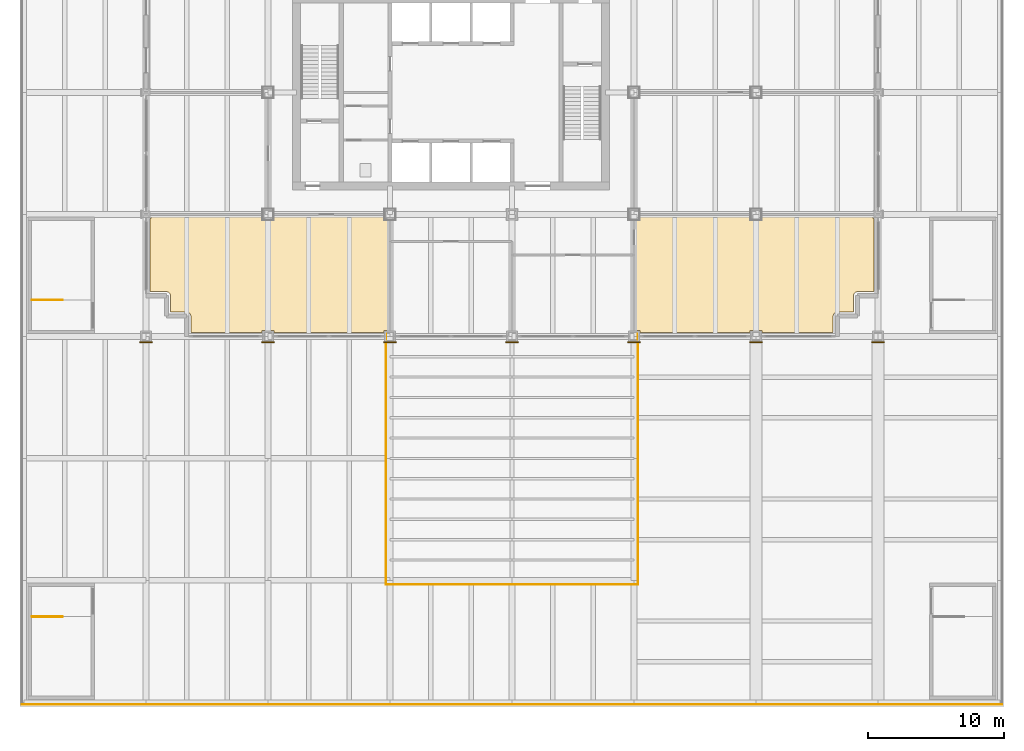
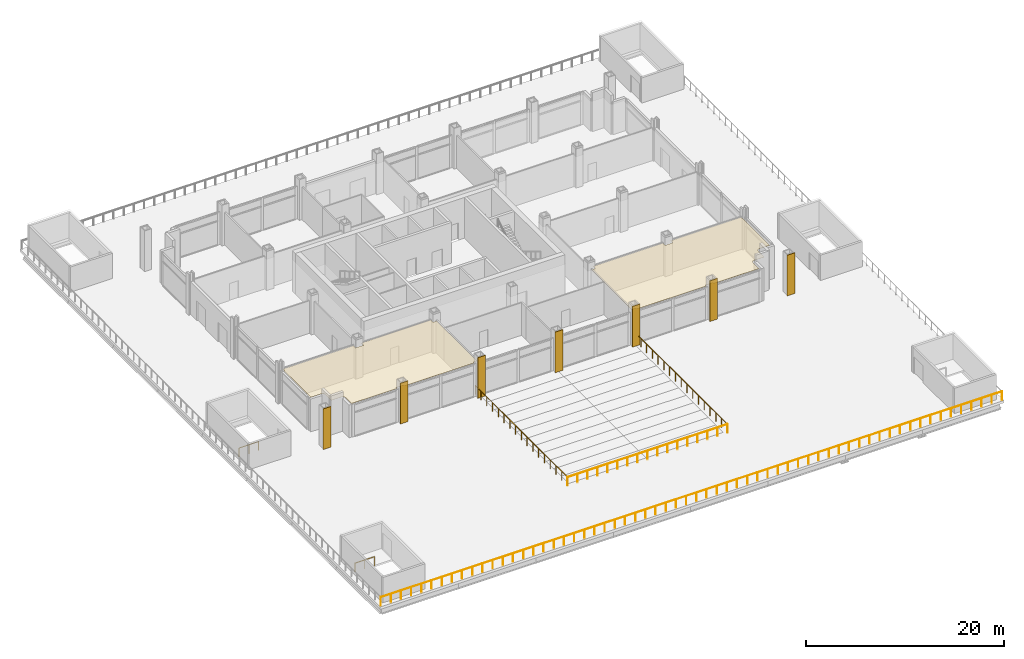
# One storey, part 12 of 16: 9 coverings, 6 railings.
"""IFC4 building model written with IfcOpenShell, lengths in metres."""

from ifc_helpers import new_model, si_unit, direction, frame, origin, origin_2d, place, context, subcontext, project, spatial, polyline, rectangle, circle, outline, extrude, material, layer, layer_set, type_object, element, save


model = new_model("IFC4")

# Units and contexts
model_context = context("Model", 3, precision=1e-05, world=origin(), true_north=direction((0.0, 1.0)))
body_context = subcontext(model_context, "Body", "Model", "MODEL_VIEW")
ifc_project = project(units=[si_unit("LENGTHUNIT", "METRE"), si_unit("AREAUNIT", "SQUARE_METRE"), si_unit("VOLUMEUNIT", "CUBIC_METRE"), si_unit("PLANEANGLEUNIT", "RADIAN"), si_unit("MASSUNIT", "GRAM", prefix="KILO")], contexts=[model_context])

# Site, building, storey
site_placement = place(None, origin())
site = spatial("IfcSite", under=ifc_project, at=site_placement, CompositionType="ELEMENT")
building_placement = place(site_placement, origin())
building = spatial("IfcBuilding", under=site, at=building_placement, Name="Loomwork Tower", CompositionType="ELEMENT")
storey_placement = place(building_placement, frame((0.0, 0.0, 23.0)))
storey = spatial("IfcBuildingStorey", under=building, at=storey_placement, Name="L04", CompositionType="ELEMENT", Elevation=23.0)

# Railings
ifc_material_1 = material(Name="Stainless steel and laminated glass guard", Category="steel")
railing_type = type_object("IfcRailingType", Name="Guard 1100", PredefinedType="GUARDRAIL", material=ifc_material_1)
railing_1_placement = place(storey_placement, frame((-9.14990234375, -27.14990234375, 0.0)))
element("IfcRailing", 1, at=railing_1_placement, inside=storey, type_object=railing_type, Name="Terrace edge guard S", PredefinedType="GUARDRAIL", context=body_context, shape_type="SweptSolid", body=[
    extrude(circle(Radius=0.02392578125, at=origin_2d()), frame((0.0, 0.0, 1.076171875), z_axis=(1.0, 0.0, 0.0), x_axis=(0.0, 1.0, 0.0)), (0.0, 0.0, 1.0), 72.2998046875),
    extrude(circle(Radius=0.02099609375, at=origin_2d()), origin(), (0.0, 0.0, 1.0), 1.052001953125),
    extrude(circle(Radius=0.02099609375, at=origin_2d()), frame((1.185302734375, 0.0, 0.0)), (0.0, 0.0, 1.0), 1.052001953125),
    extrude(circle(Radius=0.02099609375, at=origin_2d()), frame((2.37060546875, 0.0, 0.0)), (0.0, 0.0, 1.0), 1.052001953125),
    extrude(circle(Radius=0.02099609375, at=origin_2d()), frame((3.5556640625, 0.0, 0.0)), (0.0, 0.0, 1.0), 1.052001953125),
    extrude(circle(Radius=0.02099609375, at=origin_2d()), frame((4.740966796875, 0.0, 0.0)), (0.0, 0.0, 1.0), 1.052001953125),
    extrude(circle(Radius=0.02099609375, at=origin_2d()), frame((5.92626953125, 0.0, 0.0)), (0.0, 0.0, 1.0), 1.052001953125),
    extrude(circle(Radius=0.02099609375, at=origin_2d()), frame((7.111572265625, 0.0, 0.0)), (0.0, 0.0, 1.0), 1.052001953125),
    extrude(circle(Radius=0.02099609375, at=origin_2d()), frame((8.296630859375, 0.0, 0.0)), (0.0, 0.0, 1.0), 1.052001953125),
    extrude(circle(Radius=0.02099609375, at=origin_2d()), frame((9.48193359375, 0.0, 0.0)), (0.0, 0.0, 1.0), 1.052001953125),
    extrude(circle(Radius=0.02099609375, at=origin_2d()), frame((10.667236328125, 0.0, 0.0)), (0.0, 0.0, 1.0), 1.052001953125),
    extrude(circle(Radius=0.02099609375, at=origin_2d()), frame((11.8525390625, 0.0, 0.0)), (0.0, 0.0, 1.0), 1.052001953125),
    extrude(circle(Radius=0.02099609375, at=origin_2d()), frame((13.03759765625, 0.0, 0.0)), (0.0, 0.0, 1.0), 1.052001953125),
    extrude(circle(Radius=0.02099609375, at=origin_2d()), frame((14.222900390625, 0.0, 0.0)), (0.0, 0.0, 1.0), 1.052001953125),
    extrude(circle(Radius=0.02099609375, at=origin_2d()), frame((15.408203125, 0.0, 0.0)), (0.0, 0.0, 1.0), 1.052001953125),
    extrude(circle(Radius=0.02099609375, at=origin_2d()), frame((16.593505859375, 0.0, 0.0)), (0.0, 0.0, 1.0), 1.052001953125),
    extrude(circle(Radius=0.02099609375, at=origin_2d()), frame((17.778564453125, 0.0, 0.0)), (0.0, 0.0, 1.0), 1.052001953125),
    extrude(circle(Radius=0.02099609375, at=origin_2d()), frame((18.9638671875, 0.0, 0.0)), (0.0, 0.0, 1.0), 1.052001953125),
    extrude(circle(Radius=0.02099609375, at=origin_2d()), frame((20.149169921875, 0.0, 0.0)), (0.0, 0.0, 1.0), 1.052001953125),
    extrude(circle(Radius=0.02099609375, at=origin_2d()), frame((21.33447265625, 0.0, 0.0)), (0.0, 0.0, 1.0), 1.052001953125),
    extrude(circle(Radius=0.02099609375, at=origin_2d()), frame((22.51953125, 0.0, 0.0)), (0.0, 0.0, 1.0), 1.052001953125),
    extrude(circle(Radius=0.02099609375, at=origin_2d()), frame((23.704833984375, 0.0, 0.0)), (0.0, 0.0, 1.0), 1.052001953125),
    extrude(circle(Radius=0.02099609375, at=origin_2d()), frame((24.89013671875, 0.0, 0.0)), (0.0, 0.0, 1.0), 1.052001953125),
    extrude(circle(Radius=0.02099609375, at=origin_2d()), frame((26.075439453125, 0.0, 0.0)), (0.0, 0.0, 1.0), 1.052001953125),
    extrude(circle(Radius=0.02099609375, at=origin_2d()), frame((27.260498046875, 0.0, 0.0)), (0.0, 0.0, 1.0), 1.052001953125),
    extrude(circle(Radius=0.02099609375, at=origin_2d()), frame((28.44580078125, 0.0, 0.0)), (0.0, 0.0, 1.0), 1.052001953125),
    extrude(circle(Radius=0.02099609375, at=origin_2d()), frame((29.631103515625, 0.0, 0.0)), (0.0, 0.0, 1.0), 1.052001953125),
    extrude(circle(Radius=0.02099609375, at=origin_2d()), frame((30.81640625, 0.0, 0.0)), (0.0, 0.0, 1.0), 1.052001953125),
    extrude(circle(Radius=0.02099609375, at=origin_2d()), frame((32.00146484375, 0.0, 0.0)), (0.0, 0.0, 1.0), 1.052001953125),
    extrude(circle(Radius=0.02099609375, at=origin_2d()), frame((33.186767578125, 0.0, 0.0)), (0.0, 0.0, 1.0), 1.052001953125),
    extrude(circle(Radius=0.02099609375, at=origin_2d()), frame((34.3720703125, 0.0, 0.0)), (0.0, 0.0, 1.0), 1.052001953125),
    extrude(circle(Radius=0.02099609375, at=origin_2d()), frame((35.557373046875, 0.0, 0.0)), (0.0, 0.0, 1.0), 1.052001953125),
    extrude(circle(Radius=0.02099609375, at=origin_2d()), frame((36.742431640625, 0.0, 0.0)), (0.0, 0.0, 1.0), 1.052001953125),
    extrude(circle(Radius=0.02099609375, at=origin_2d()), frame((37.927734375, 0.0, 0.0)), (0.0, 0.0, 1.0), 1.052001953125),
    extrude(circle(Radius=0.02099609375, at=origin_2d()), frame((39.113037109375, 0.0, 0.0)), (0.0, 0.0, 1.0), 1.052001953125),
    extrude(circle(Radius=0.02099609375, at=origin_2d()), frame((40.29833984375, 0.0, 0.0)), (0.0, 0.0, 1.0), 1.052001953125),
    extrude(circle(Radius=0.02099609375, at=origin_2d()), frame((41.4833984375, 0.0, 0.0)), (0.0, 0.0, 1.0), 1.052001953125),
    extrude(circle(Radius=0.02099609375, at=origin_2d()), frame((42.668701171875, 0.0, 0.0)), (0.0, 0.0, 1.0), 1.052001953125),
    extrude(circle(Radius=0.02099609375, at=origin_2d()), frame((43.85400390625, 0.0, 0.0)), (0.0, 0.0, 1.0), 1.052001953125),
    extrude(circle(Radius=0.02099609375, at=origin_2d()), frame((45.039306640625, 0.0, 0.0)), (0.0, 0.0, 1.0), 1.052001953125),
    extrude(circle(Radius=0.02099609375, at=origin_2d()), frame((46.224365234375, 0.0, 0.0)), (0.0, 0.0, 1.0), 1.052001953125),
    extrude(circle(Radius=0.02099609375, at=origin_2d()), frame((47.40966796875, 0.0, 0.0)), (0.0, 0.0, 1.0), 1.052001953125),
    extrude(circle(Radius=0.02099609375, at=origin_2d()), frame((48.594970703125, 0.0, 0.0)), (0.0, 0.0, 1.0), 1.052001953125),
    extrude(circle(Radius=0.02099609375, at=origin_2d()), frame((49.7802734375, 0.0, 0.0)), (0.0, 0.0, 1.0), 1.052001953125),
    extrude(circle(Radius=0.02099609375, at=origin_2d()), frame((50.96533203125, 0.0, 0.0)), (0.0, 0.0, 1.0), 1.052001953125),
    extrude(circle(Radius=0.02099609375, at=origin_2d()), frame((52.150634765625, 0.0, 0.0)), (0.0, 0.0, 1.0), 1.052001953125),
    extrude(circle(Radius=0.02099609375, at=origin_2d()), frame((53.3359375, 0.0, 0.0)), (0.0, 0.0, 1.0), 1.052001953125),
    extrude(circle(Radius=0.02099609375, at=origin_2d()), frame((54.521240234375, 0.0, 0.0)), (0.0, 0.0, 1.0), 1.052001953125),
    extrude(circle(Radius=0.02099609375, at=origin_2d()), frame((55.706298828125, 0.0, 0.0)), (0.0, 0.0, 1.0), 1.052001953125),
    extrude(circle(Radius=0.02099609375, at=origin_2d()), frame((56.8916015625, 0.0, 0.0)), (0.0, 0.0, 1.0), 1.052001953125),
    extrude(circle(Radius=0.02099609375, at=origin_2d()), frame((58.076904296875, 0.0, 0.0)), (0.0, 0.0, 1.0), 1.052001953125),
    extrude(circle(Radius=0.02099609375, at=origin_2d()), frame((59.26220703125, 0.0, 0.0)), (0.0, 0.0, 1.0), 1.052001953125),
    extrude(circle(Radius=0.02099609375, at=origin_2d()), frame((60.447265625, 0.0, 0.0)), (0.0, 0.0, 1.0), 1.052001953125),
    extrude(circle(Radius=0.02099609375, at=origin_2d()), frame((61.632568359375, 0.0, 0.0)), (0.0, 0.0, 1.0), 1.052001953125),
    extrude(circle(Radius=0.02099609375, at=origin_2d()), frame((62.81787109375, 0.0, 0.0)), (0.0, 0.0, 1.0), 1.052001953125),
    extrude(circle(Radius=0.02099609375, at=origin_2d()), frame((64.003173828125, 0.0, 0.0)), (0.0, 0.0, 1.0), 1.052001953125),
    extrude(circle(Radius=0.02099609375, at=origin_2d()), frame((65.188232421875, 0.0, 0.0)), (0.0, 0.0, 1.0), 1.052001953125),
    extrude(circle(Radius=0.02099609375, at=origin_2d()), frame((66.37353515625, 0.0, 0.0)), (0.0, 0.0, 1.0), 1.052001953125),
    extrude(circle(Radius=0.02099609375, at=origin_2d()), frame((67.558837890625, 0.0, 0.0)), (0.0, 0.0, 1.0), 1.052001953125),
    extrude(circle(Radius=0.02099609375, at=origin_2d()), frame((68.744140625, 0.0, 0.0)), (0.0, 0.0, 1.0), 1.052001953125),
    extrude(circle(Radius=0.02099609375, at=origin_2d()), frame((69.92919921875, 0.0, 0.0)), (0.0, 0.0, 1.0), 1.052001953125),
    extrude(circle(Radius=0.02099609375, at=origin_2d()), frame((71.114501953125, 0.0, 0.0)), (0.0, 0.0, 1.0), 1.052001953125),
    extrude(circle(Radius=0.02099609375, at=origin_2d()), frame((72.2998046875, 0.0, 0.0)), (0.0, 0.0, 1.0), 1.052001953125),
])
railing_2_placement = place(storey_placement, frame((17.699951171875, -18.300048828125, 0.0)))
element("IfcRailing", 2, at=railing_2_placement, inside=storey, type_object=railing_type, Name="Skylight guard S", PredefinedType="GUARDRAIL", context=body_context, shape_type="SweptSolid", body=[
    extrude(circle(Radius=0.02392578125, at=origin_2d()), frame((0.0, 0.0, 1.076171875), z_axis=(1.0, 0.0, 0.0), x_axis=(0.0, 1.0, 0.0)), (0.0, 0.0, 1.0), 18.60009765625),
    extrude(circle(Radius=0.02099609375, at=origin_2d()), origin(), (0.0, 0.0, 1.0), 1.052001953125),
    extrude(circle(Radius=0.02099609375, at=origin_2d()), frame((1.16259765625, 0.0, 0.0)), (0.0, 0.0, 1.0), 1.052001953125),
    extrude(circle(Radius=0.02099609375, at=origin_2d()), frame((2.324951171875, 0.0, 0.0)), (0.0, 0.0, 1.0), 1.052001953125),
    extrude(circle(Radius=0.02099609375, at=origin_2d()), frame((3.487548828125, 0.0, 0.0)), (0.0, 0.0, 1.0), 1.052001953125),
    extrude(circle(Radius=0.02099609375, at=origin_2d()), frame((4.64990234375, 0.0, 0.0)), (0.0, 0.0, 1.0), 1.052001953125),
    extrude(circle(Radius=0.02099609375, at=origin_2d()), frame((5.8125, 0.0, 0.0)), (0.0, 0.0, 1.0), 1.052001953125),
    extrude(circle(Radius=0.02099609375, at=origin_2d()), frame((6.97509765625, 0.0, 0.0)), (0.0, 0.0, 1.0), 1.052001953125),
    extrude(circle(Radius=0.02099609375, at=origin_2d()), frame((8.137451171875, 0.0, 0.0)), (0.0, 0.0, 1.0), 1.052001953125),
    extrude(circle(Radius=0.02099609375, at=origin_2d()), frame((9.300048828125, 0.0, 0.0)), (0.0, 0.0, 1.0), 1.052001953125),
    extrude(circle(Radius=0.02099609375, at=origin_2d()), frame((10.462646484375, 0.0, 0.0)), (0.0, 0.0, 1.0), 1.052001953125),
    extrude(circle(Radius=0.02099609375, at=origin_2d()), frame((11.625, 0.0, 0.0)), (0.0, 0.0, 1.0), 1.052001953125),
    extrude(circle(Radius=0.02099609375, at=origin_2d()), frame((12.78759765625, 0.0, 0.0)), (0.0, 0.0, 1.0), 1.052001953125),
    extrude(circle(Radius=0.02099609375, at=origin_2d()), frame((13.9501953125, 0.0, 0.0)), (0.0, 0.0, 1.0), 1.052001953125),
    extrude(circle(Radius=0.02099609375, at=origin_2d()), frame((15.112548828125, 0.0, 0.0)), (0.0, 0.0, 1.0), 1.052001953125),
    extrude(circle(Radius=0.02099609375, at=origin_2d()), frame((16.275146484375, 0.0, 0.0)), (0.0, 0.0, 1.0), 1.052001953125),
    extrude(circle(Radius=0.02099609375, at=origin_2d()), frame((17.4375, 0.0, 0.0)), (0.0, 0.0, 1.0), 1.052001953125),
    extrude(circle(Radius=0.02099609375, at=origin_2d()), frame((18.60009765625, 0.0, 0.0)), (0.0, 0.0, 1.0), 1.052001953125),
])
railing_3_placement = place(storey_placement, frame((36.300048828125, -18.300048828125, 0.0)))
element("IfcRailing", 3, at=railing_3_placement, inside=storey, type_object=railing_type, Name="Skylight guard E", PredefinedType="GUARDRAIL", context=body_context, shape_type="SweptSolid", body=[
    extrude(circle(Radius=0.02392578125, at=origin_2d()), frame((0.0, 0.0, 1.076171875), z_axis=(0.0, 1.0, 0.0), x_axis=(-1.0, 0.0, 0.0)), (0.0, 0.0, 1.0), 18.60009765625),
    extrude(circle(Radius=0.02099609375, at=origin_2d()), origin(), (0.0, 0.0, 1.0), 1.052001953125),
    extrude(circle(Radius=0.02099609375, at=origin_2d()), frame((0.0, 1.16259765625, 0.0)), (0.0, 0.0, 1.0), 1.052001953125),
    extrude(circle(Radius=0.02099609375, at=origin_2d()), frame((0.0, 2.324951171875, 0.0)), (0.0, 0.0, 1.0), 1.052001953125),
    extrude(circle(Radius=0.02099609375, at=origin_2d()), frame((0.0, 3.487548828125, 0.0)), (0.0, 0.0, 1.0), 1.052001953125),
    extrude(circle(Radius=0.02099609375, at=origin_2d()), frame((0.0, 4.64990234375, 0.0)), (0.0, 0.0, 1.0), 1.052001953125),
    extrude(circle(Radius=0.02099609375, at=origin_2d()), frame((0.0, 5.8125, 0.0)), (0.0, 0.0, 1.0), 1.052001953125),
    extrude(circle(Radius=0.02099609375, at=origin_2d()), frame((0.0, 6.97509765625, 0.0)), (0.0, 0.0, 1.0), 1.052001953125),
    extrude(circle(Radius=0.02099609375, at=origin_2d()), frame((0.0, 8.137451171875, 0.0)), (0.0, 0.0, 1.0), 1.052001953125),
    extrude(circle(Radius=0.02099609375, at=origin_2d()), frame((0.0, 9.300048828125, 0.0)), (0.0, 0.0, 1.0), 1.052001953125),
    extrude(circle(Radius=0.02099609375, at=origin_2d()), frame((0.0, 10.462646484375, 0.0)), (0.0, 0.0, 1.0), 1.052001953125),
    extrude(circle(Radius=0.02099609375, at=origin_2d()), frame((0.0, 11.625, 0.0)), (0.0, 0.0, 1.0), 1.052001953125),
    extrude(circle(Radius=0.02099609375, at=origin_2d()), frame((0.0, 12.78759765625, 0.0)), (0.0, 0.0, 1.0), 1.052001953125),
    extrude(circle(Radius=0.02099609375, at=origin_2d()), frame((0.0, 13.9501953125, 0.0)), (0.0, 0.0, 1.0), 1.052001953125),
    extrude(circle(Radius=0.02099609375, at=origin_2d()), frame((0.0, 15.112548828125, 0.0)), (0.0, 0.0, 1.0), 1.052001953125),
    extrude(circle(Radius=0.02099609375, at=origin_2d()), frame((0.0, 16.275146484375, 0.0)), (0.0, 0.0, 1.0), 1.052001953125),
    extrude(circle(Radius=0.02099609375, at=origin_2d()), frame((0.0, 17.4375, 0.0)), (0.0, 0.0, 1.0), 1.052001953125),
    extrude(circle(Radius=0.02099609375, at=origin_2d()), frame((0.0, 18.60009765625, 0.0)), (0.0, 0.0, 1.0), 1.052001953125),
])
railing_4_placement = place(storey_placement, frame((17.699951171875, 0.300048828125, 0.0)))
element("IfcRailing", 4, at=railing_4_placement, inside=storey, type_object=railing_type, Name="Skylight guard W", PredefinedType="GUARDRAIL", context=body_context, shape_type="SweptSolid", body=[
    extrude(circle(Radius=0.02392578125, at=origin_2d()), frame((0.0, 0.0, 1.076171875), z_axis=(0.0, -1.0, 0.0), x_axis=(1.0, 0.0, 0.0)), (0.0, 0.0, 1.0), 18.60009765625),
    extrude(circle(Radius=0.02099609375, at=origin_2d()), origin(), (0.0, 0.0, 1.0), 1.052001953125),
    extrude(circle(Radius=0.02099609375, at=origin_2d()), frame((0.0, -1.16259765625, 0.0)), (0.0, 0.0, 1.0), 1.052001953125),
    extrude(circle(Radius=0.02099609375, at=origin_2d()), frame((0.0, -2.324951171875, 0.0)), (0.0, 0.0, 1.0), 1.052001953125),
    extrude(circle(Radius=0.02099609375, at=origin_2d()), frame((0.0, -3.487548828125, 0.0)), (0.0, 0.0, 1.0), 1.052001953125),
    extrude(circle(Radius=0.02099609375, at=origin_2d()), frame((0.0, -4.64990234375, 0.0)), (0.0, 0.0, 1.0), 1.052001953125),
    extrude(circle(Radius=0.02099609375, at=origin_2d()), frame((0.0, -5.8125, 0.0)), (0.0, 0.0, 1.0), 1.052001953125),
    extrude(circle(Radius=0.02099609375, at=origin_2d()), frame((0.0, -6.97509765625, 0.0)), (0.0, 0.0, 1.0), 1.052001953125),
    extrude(circle(Radius=0.02099609375, at=origin_2d()), frame((0.0, -8.137451171875, 0.0)), (0.0, 0.0, 1.0), 1.052001953125),
    extrude(circle(Radius=0.02099609375, at=origin_2d()), frame((0.0, -9.300048828125, 0.0)), (0.0, 0.0, 1.0), 1.052001953125),
    extrude(circle(Radius=0.02099609375, at=origin_2d()), frame((0.0, -10.462646484375, 0.0)), (0.0, 0.0, 1.0), 1.052001953125),
    extrude(circle(Radius=0.02099609375, at=origin_2d()), frame((0.0, -11.625, 0.0)), (0.0, 0.0, 1.0), 1.052001953125),
    extrude(circle(Radius=0.02099609375, at=origin_2d()), frame((0.0, -12.78759765625, 0.0)), (0.0, 0.0, 1.0), 1.052001953125),
    extrude(circle(Radius=0.02099609375, at=origin_2d()), frame((0.0, -13.9501953125, 0.0)), (0.0, 0.0, 1.0), 1.052001953125),
    extrude(circle(Radius=0.02099609375, at=origin_2d()), frame((0.0, -15.112548828125, 0.0)), (0.0, 0.0, 1.0), 1.052001953125),
    extrude(circle(Radius=0.02099609375, at=origin_2d()), frame((0.0, -16.275146484375, 0.0)), (0.0, 0.0, 1.0), 1.052001953125),
    extrude(circle(Radius=0.02099609375, at=origin_2d()), frame((0.0, -17.4375, 0.0)), (0.0, 0.0, 1.0), 1.052001953125),
    extrude(circle(Radius=0.02099609375, at=origin_2d()), frame((0.0, -18.60009765625, 0.0)), (0.0, 0.0, 1.0), 1.052001953125),
])
for number, where, name in (
    (5, (-8.39990234375, -20.679931640625, 0.0), "Stair PS1 terrace landing guard"),
    (6, (-8.39990234375, 2.679931640625, 0.0), "Stair PS5 terrace landing guard"),
):
    element("IfcRailing", number, at=place(storey_placement, frame(where)), inside=storey, type_object=railing_type, Name=name, PredefinedType="GUARDRAIL", context=body_context, shape_type="SweptSolid", body=[
        extrude(circle(Radius=0.02392578125, at=origin_2d()), frame((0.0, 0.0, 1.076171875), z_axis=(1.0, 0.0, 0.0), x_axis=(0.0, 1.0, 0.0)), (0.0, 0.0, 1.0), 2.25),
        extrude(circle(Radius=0.02099609375, at=origin_2d()), origin(), (0.0, 0.0, 1.0), 1.052001953125),
        extrude(circle(Radius=0.02099609375, at=origin_2d()), frame((1.125, 0.0, 0.0)), (0.0, 0.0, 1.0), 1.052001953125),
        extrude(circle(Radius=0.02099609375, at=origin_2d()), frame((2.25, 0.0, 0.0)), (0.0, 0.0, 1.0), 1.052001953125),
    ])

# Coverings
ifc_material_2 = material(Name="Limestone", Category="masonry")
ifc_layer_1 = layer(ifc_material_2, 0.080078125)
ifc_layer_set_1 = layer_set([ifc_layer_1], Name="Limestone pier facing 80")
covering_type_1 = type_object("IfcCoveringType", Name="Limestone pier facing 80", PredefinedType="CLADDING", material=ifc_layer_set_1)
for number, where, z_axis, x_axis, name in (
    (7, (0.0, -0.43994140625, 0.0), (0.0, 0.0, 1.0), (1.0, 0.0, 0.0), "Pier facing D/2 L04"),
    (8, (9.0, -0.43994140625, 0.0), (0.0, 0.0, 1.0), (1.0, 0.0, 0.0), "Pier facing D/3 L04"),
    (9, (18.0, -0.43994140625, 0.0), (0.0, 0.0, 1.0), (1.0, 0.0, 0.0), "Pier facing D/4 L04"),
    (10, (27.0, -0.43994140625, 0.0), (0.0, 0.0, 1.0), (1.0, 0.0, 0.0), "Pier facing D/5 L04"),
    (11, (36.0, -0.43994140625, 0.0), (0.0, 0.0, 1.0), (1.0, 0.0, 0.0), "Pier facing D/6 L04"),
    (12, (45.0, -0.43994140625, 0.0), (0.0, 0.0, 1.0), (1.0, 0.0, 0.0), "Pier facing D/7 L04"),
    (13, (54.0, -0.43994140625, 0.0), (0.0, 0.0, 1.0), (1.0, 0.0, 0.0), "Pier facing D/8 L04"),
):
    element("IfcCovering", number, at=place(storey_placement, frame(where, z_axis=z_axis, x_axis=x_axis)), inside=storey, type_object=covering_type_1, Name=name, PredefinedType="CLADDING", context=body_context, shape_type="SweptSolid", body=[
        extrude(rectangle(XDim=0.89990234375, YDim=0.080078125, at=origin_2d()), origin(), (0.0, 0.0, 1.0), 5.0),
    ])
ifc_material_3 = material(Name="Mineral fibre acoustic tile on suspension grid")
ifc_layer_2 = layer(ifc_material_3, 0.02490234375)
ifc_layer_set_2 = layer_set([ifc_layer_2], Name="Suspended acoustic ceiling")
covering_type_2 = type_object("IfcCoveringType", Name="Suspended acoustic ceiling", PredefinedType="CEILING", material=ifc_layer_set_2)
covering_1_placement = place(storey_placement, frame((0.0, 0.0, 3.875)))
element("IfcCovering", 14, at=covering_1_placement, inside=storey, type_object=covering_type_2, Name="Ceiling Fitness centre L04", PredefinedType="CEILING", context=body_context, shape_type="SweptSolid", body=[
    extrude(outline(polyline([(9.449951171875, 0.300048828125), (9.449951171875, 0.449951171875), (8.550048828125, 0.449951171875), (8.550048828125, 0.300048828125), (3.300048828125, 0.300048828125), (3.300048828125, 1.5), (3.298583984375, 1.529296875), (3.294189453125, 1.55859375), (3.287109375, 1.587158203125), (3.277099609375, 1.61474609375), (3.2646484375, 1.641357421875), (3.24951171875, 1.666748046875), (3.23193359375, 1.690185546875), (3.212158203125, 1.712158203125), (3.190185546875, 1.73193359375), (3.166748046875, 1.74951171875), (3.141357421875, 1.7646484375), (3.11474609375, 1.777099609375), (3.087158203125, 1.787109375), (3.05859375, 1.794189453125), (3.029296875, 1.798583984375), (3.0, 1.800048828125), (1.800048828125, 1.800048828125), (1.800048828125, 3.0), (1.798583984375, 3.029296875), (1.794189453125, 3.05859375), (1.787109375, 3.087158203125), (1.777099609375, 3.11474609375), (1.7646484375, 3.141357421875), (1.74951171875, 3.166748046875), (1.73193359375, 3.190185546875), (1.712158203125, 3.212158203125), (1.690185546875, 3.23193359375), (1.666748046875, 3.24951171875), (1.641357421875, 3.2646484375), (1.61474609375, 3.277099609375), (1.587158203125, 3.287109375), (1.55859375, 3.294189453125), (1.529296875, 3.298583984375), (1.5, 3.300048828125), (0.300048828125, 3.300048828125), (0.300048828125, 8.711181640625), (0.349609375, 8.711181640625), (0.349609375, 9.0), (8.550048828125, 9.0), (8.550048828125, 8.550048828125), (9.449951171875, 8.550048828125), (9.449951171875, 9.0), (17.550048828125, 9.0), (17.550048828125, 8.550048828125), (18.0, 8.550048828125), (18.0, 0.449951171875), (17.550048828125, 0.449951171875), (17.550048828125, 0.300048828125), (9.449951171875, 0.300048828125)])), origin(), (0.0, 0.0, 1.0), 0.02490234375),
])
covering_2_placement = place(storey_placement, frame((0.0, 0.0, 3.875)))
element("IfcCovering", 15, at=covering_2_placement, inside=storey, type_object=covering_type_2, Name="Ceiling Spa L04", PredefinedType="CEILING", context=body_context, shape_type="SweptSolid", body=[
    extrude(outline(polyline([(53.699951171875, 3.300048828125), (52.5, 3.300048828125), (52.470703125, 3.298583984375), (52.44140625, 3.294189453125), (52.412841796875, 3.287109375), (52.38525390625, 3.277099609375), (52.358642578125, 3.2646484375), (52.333251953125, 3.24951171875), (52.309814453125, 3.23193359375), (52.287841796875, 3.212158203125), (52.26806640625, 3.190185546875), (52.25048828125, 3.166748046875), (52.2353515625, 3.141357421875), (52.222900390625, 3.11474609375), (52.212890625, 3.087158203125), (52.205810546875, 3.05859375), (52.201416015625, 3.029296875), (52.199951171875, 3.0), (52.199951171875, 1.800048828125), (51.0, 1.800048828125), (50.970703125, 1.798583984375), (50.94140625, 1.794189453125), (50.912841796875, 1.787109375), (50.88525390625, 1.777099609375), (50.858642578125, 1.7646484375), (50.833251953125, 1.74951171875), (50.809814453125, 1.73193359375), (50.787841796875, 1.712158203125), (50.76806640625, 1.690185546875), (50.75048828125, 1.666748046875), (50.7353515625, 1.641357421875), (50.722900390625, 1.61474609375), (50.712890625, 1.587158203125), (50.705810546875, 1.55859375), (50.701416015625, 1.529296875), (50.699951171875, 1.5), (50.699951171875, 0.300048828125), (45.449951171875, 0.300048828125), (45.449951171875, 0.449951171875), (44.550048828125, 0.449951171875), (44.550048828125, 0.300048828125), (36.449951171875, 0.300048828125), (36.449951171875, 0.449951171875), (36.0, 0.449951171875), (36.0, 8.550048828125), (36.449951171875, 8.550048828125), (36.449951171875, 9.0), (44.550048828125, 9.0), (44.550048828125, 8.550048828125), (45.449951171875, 8.550048828125), (45.449951171875, 9.0), (53.650390625, 9.0), (53.650390625, 8.711181640625), (53.699951171875, 8.711181640625), (53.699951171875, 3.300048828125)])), origin(), (0.0, 0.0, 1.0), 0.02490234375),
])

save(model, "model.ifc")
